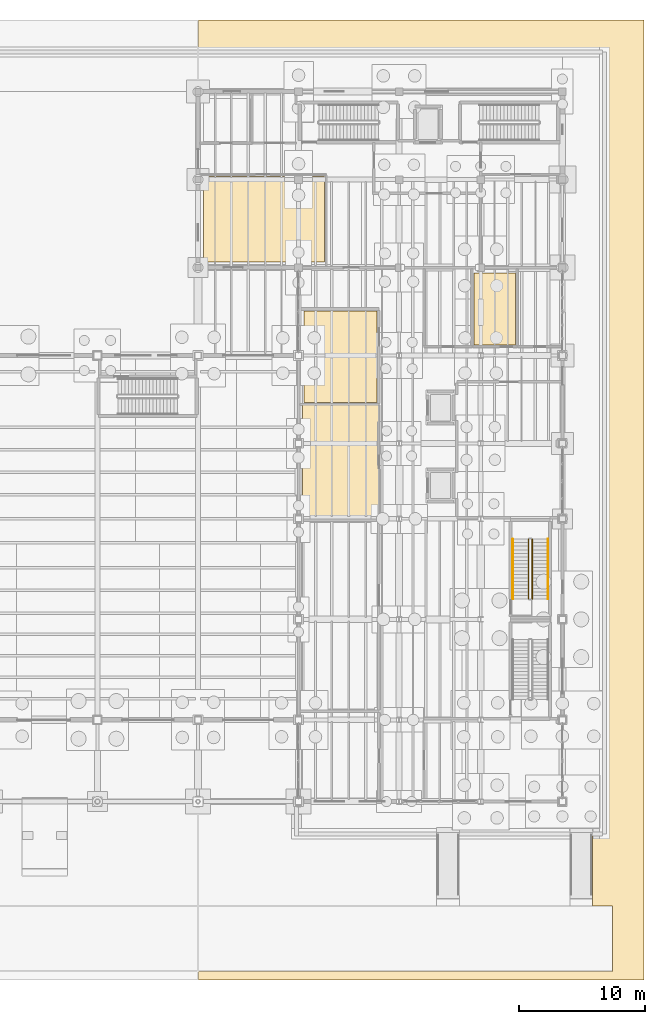
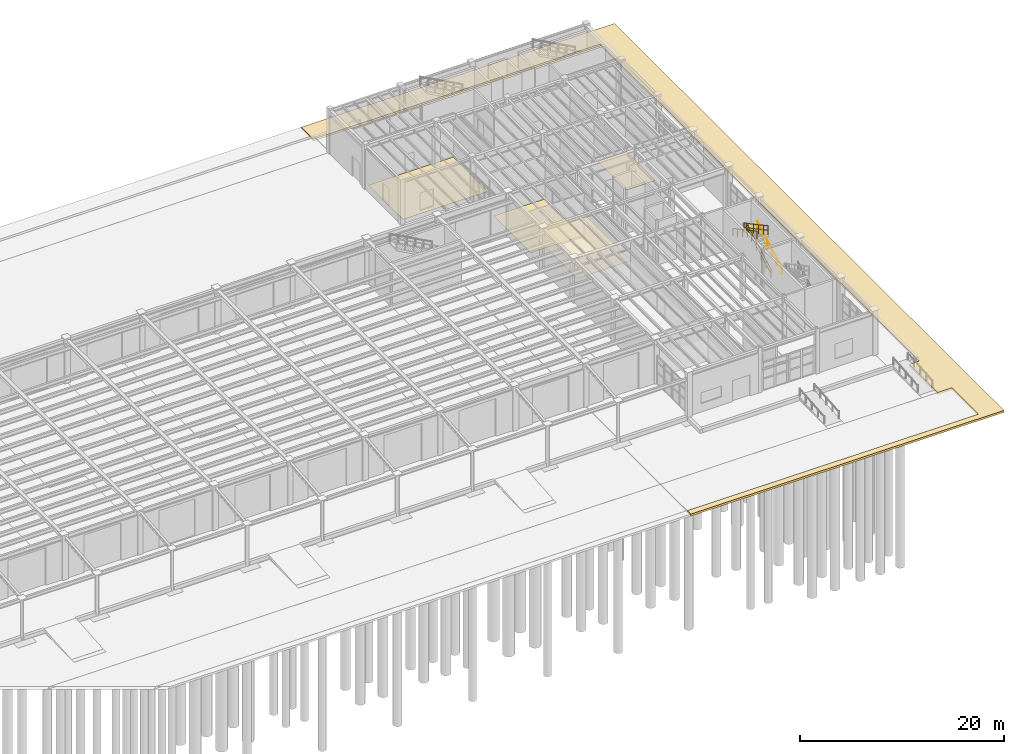
# One storey, part 84 of 86: 5 coverings, 4 railings.
"""IFC4 building model written with IfcOpenShell, lengths in metres."""

import ifcopenshell
import ifcopenshell.guid

model = None  # the IFC model being written
_history = None  # IfcOwnerHistory: only IFC2X3 demands one
_inside = {}  # id of a spatial element -> (the spatial element, [elements in it])
_under = {}  # id of a project, library or spatial element -> (it, [spatial elements below it])
_declared = {}  # id of a project -> (the project, [libraries it declares])
_typed = {}  # id of a type object -> (the type object, [elements of that type])
_made_of = {}  # id of a material, layer set ... -> (it, [elements and type objects made of it])


def new_model(schema):
    """Start an empty IFC model of exactly this schema.

    Asked for "IFC4X3", IfcOpenShell would pick the latest addendum, in which some entities
    have other attributes; the version numbers below select the first issue.
    IFC2X3 requires an IfcOwnerHistory on every rooted entity: one is made here for all.
    """
    global model, _history
    if schema == "IFC4X3":
        model = ifcopenshell.file(schema_version=(4, 3, 0, 0))
    else:
        model = ifcopenshell.file(schema=schema)
    _inside.clear()
    _under.clear()
    _declared.clear()
    _typed.clear()
    _made_of.clear()
    _history = None
    if model.schema == "IFC2X3":
        org = make("IfcOrganization", Name="unknown")
        user = make(
            "IfcPersonAndOrganization",
            ThePerson=make("IfcPerson", FamilyName="unknown"),
            TheOrganization=org,
        )
        app = make(
            "IfcApplication",
            ApplicationDeveloper=org,
            Version="unknown",
            ApplicationFullName="unknown",
            ApplicationIdentifier="unknown",
        )
        _history = make(
            "IfcOwnerHistory",
            OwningUser=user,
            OwningApplication=app,
            ChangeAction="ADDED",
            CreationDate=0,
        )
    return model


def make(cls, **values):
    """One entity of the class cls with the attributes given. An attribute that is None is left unset."""
    return model.create_entity(
        cls, **{name: value for name, value in values.items() if value is not None}
    )


def rooted(cls, **values):
    """An entity with a GlobalId (a new one), such as an element, a storey or a relation."""
    return make(cls, GlobalId=ifcopenshell.guid.new(), OwnerHistory=_history, **values)


def si_unit(unit_type, name, prefix=None):
    """IfcSIUnit, for example si_unit("LENGTHUNIT", "METRE", prefix="MILLI")."""
    return make("IfcSIUnit", UnitType=unit_type, Prefix=prefix, Name=name)


def assignment(units):
    """IfcUnitAssignment: the units of a project."""
    return None if units is None else make("IfcUnitAssignment", Units=units)


def point(xyz):
    """IfcCartesianPoint."""
    return None if xyz is None else make("IfcCartesianPoint", Coordinates=xyz)


def direction(xyz):
    """IfcDirection."""
    return None if xyz is None else make("IfcDirection", DirectionRatios=xyz)


def frame(location, z_axis=None, x_axis=None):
    """IfcAxis2Placement3D, a coordinate frame: its origin and axes. An axis left out is left unset."""
    return make(
        "IfcAxis2Placement3D",
        Location=point(location),
        Axis=direction(z_axis),
        RefDirection=direction(x_axis),
    )


def frame_2d(location, x_axis=None):
    """IfcAxis2Placement2D, a coordinate frame in the plane: its origin and x axis."""
    return make(
        "IfcAxis2Placement2D", Location=point(location), RefDirection=direction(x_axis)
    )


def origin():
    """The frame at (0, 0, 0) with its axes left unset."""
    return frame((0.0, 0.0, 0.0))


def origin_2d():
    """The frame at (0, 0) in the plane with its x axis left unset."""
    return frame_2d((0.0, 0.0))


def place(relative_to, where):
    """IfcLocalPlacement: puts the frame where relative to a parent placement (None: the world)."""
    return make(
        "IfcLocalPlacement", PlacementRelTo=relative_to, RelativePlacement=where
    )


def context(
    kind, dimensions, precision=None, world=None, true_north=None, identifier=None
):
    """IfcGeometricRepresentationContext, for example the 3D "Model" context."""
    return make(
        "IfcGeometricRepresentationContext",
        ContextIdentifier=identifier,
        ContextType=kind,
        CoordinateSpaceDimension=dimensions,
        Precision=precision,
        WorldCoordinateSystem=world,
        TrueNorth=true_north,
    )


def subcontext(parent, identifier, kind, view, scale=None):
    """IfcGeometricRepresentationSubContext, for example "Body" below "Model"."""
    return make(
        "IfcGeometricRepresentationSubContext",
        ContextIdentifier=identifier,
        ContextType=kind,
        ParentContext=parent,
        TargetScale=scale,
        TargetView=view,
    )


def project(units=None, contexts=None):
    """IfcProject with its units and contexts."""
    return rooted(
        "IfcProject",
        Name="project",
        RepresentationContexts=contexts,
        UnitsInContext=assignment(units),
    )


def spatial(cls, under=None, at=None, **own):
    """A site, building, storey or space (cls), placed at a placement, below another one or the project."""
    s = rooted(cls, ObjectPlacement=at, **own)
    if under is not None:
        _under.setdefault(under.id(), (under, []))[1].append(s)
    return s


def polyline(points):
    """IfcPolyline through the points."""
    return make("IfcPolyline", Points=[point(p) for p in points])


def profile(cls, at=None, kind="AREA", **sizes):
    """A parametric profile (cls). Its sizes go by their IFC names, for example OverallWidth=200.0."""
    return make(cls, ProfileType=kind, Position=at, **sizes)


def circle(**sizes):
    """IfcCircleProfileDef."""
    return profile("IfcCircleProfileDef", **sizes)


def outline(outer, holes=None, kind="AREA"):
    """IfcArbitraryClosedProfileDef: a profile drawn as a closed curve; with holes, ...WithVoids."""
    if holes is None:
        return make("IfcArbitraryClosedProfileDef", ProfileType=kind, OuterCurve=outer)
    return make(
        "IfcArbitraryProfileDefWithVoids",
        ProfileType=kind,
        OuterCurve=outer,
        InnerCurves=holes,
    )


def extrude(swept, where, along, depth):
    """IfcExtrudedAreaSolid: the profile swept, set in the frame where, extruded along a direction by depth."""
    return make(
        "IfcExtrudedAreaSolid",
        SweptArea=swept,
        Position=where,
        ExtrudedDirection=direction(along),
        Depth=depth,
    )


def shape(context_of_items, identifier, shape_type, items):
    """IfcShapeRepresentation: the items that make up one representation, for example the "Body"."""
    return make(
        "IfcShapeRepresentation",
        ContextOfItems=context_of_items,
        RepresentationIdentifier=identifier,
        RepresentationType=shape_type,
        Items=items,
    )


def material(Name=None, Category=None):
    """IfcMaterial."""
    return make("IfcMaterial", Name=Name, Category=Category)


def layer(
    of_material, thickness, ventilated=None, Name=None, Category=None, Priority=None
):
    """IfcMaterialLayer: one layer of a wall or slab, of a material (None: an air gap)."""
    return make(
        "IfcMaterialLayer",
        Material=of_material,
        LayerThickness=thickness,
        IsVentilated=ventilated,
        Name=Name,
        Category=Category,
        Priority=Priority,
    )


def layer_set(layers, Name=None):
    """IfcMaterialLayerSet."""
    return make("IfcMaterialLayerSet", MaterialLayers=layers, LayerSetName=Name)


def made_of(thing, what):
    """Note that an element or type object is made of a material, layer set ...; save() writes the relation."""
    if what is not None:
        _made_of.setdefault(what.id(), (what, []))[1].append(thing)
    return thing


def type_object(cls, material=None, **own):
    """A type object (cls), such as IfcWallType, which elements share."""
    return made_of(rooted(cls, **own), material)


def element(
    cls,
    number,
    at=None,
    inside=None,
    cuts=None,
    type_object=None,
    material=None,
    context=None,
    identifier="Body",
    shape_type=None,
    held_by="IfcProductDefinitionShape",
    body=None,
    shapes=None,
    **own,
):
    """One element of the class cls, such as IfcWall. Its Tag is "e" and its number.

    at: its placement. inside: the storey or other place that contains it. cuts: it is an
    opening in that element (IfcRelVoidsElement). A single representation is given by context,
    identifier, shape_type and body (its items); several are given by shapes. held_by: the class
    of the entity that holds the representations. save() writes the other relations.
    """
    e = rooted(cls, Tag="e%d" % number, ObjectPlacement=at, **own)
    if body is not None:
        shapes = [shape(context, identifier, shape_type, body)]
    if shapes is not None:
        e.Representation = make(held_by, Representations=shapes)
    if inside is not None:
        _inside.setdefault(inside.id(), (inside, []))[1].append(e)
    if cuts is not None:
        rooted(
            "IfcRelVoidsElement", RelatingBuildingElement=cuts, RelatedOpeningElement=e
        )
    if type_object is not None:
        _typed.setdefault(type_object.id(), (type_object, []))[1].append(e)
    return made_of(e, material)


def aggregate(whole, parts):
    """IfcRelAggregates: a whole, such as a stair, and the parts it consists of."""
    return rooted("IfcRelAggregates", RelatingObject=whole, RelatedObjects=parts)


def save(model, path):
    """Write the relations noted so far, then the file.

    IfcRelAggregates (storeys below a building ...), IfcRelContainedInSpatialStructure (elements
    in a storey), IfcRelDefinesByType, IfcRelAssociatesMaterial and IfcRelDeclares: one each for
    every whole, place, type object, material and project.
    """
    for whole, parts in _under.values():
        aggregate(whole, parts)
    for where, things in _inside.values():
        rooted(
            "IfcRelContainedInSpatialStructure",
            RelatedElements=things,
            RelatingStructure=where,
        )
    for kind, things in _typed.values():
        rooted("IfcRelDefinesByType", RelatedObjects=things, RelatingType=kind)
    for what, things in _made_of.values():
        rooted("IfcRelAssociatesMaterial", RelatedObjects=things, RelatingMaterial=what)
    for by, libraries in _declared.values():
        rooted("IfcRelDeclares", RelatingContext=by, RelatedDefinitions=libraries)
    model.write(path)


model = new_model("IFC4")

# Units and contexts
model_context = context("Model", 3, precision=1e-05, world=origin(), true_north=direction((0.0, 1.0)))
body_context = subcontext(model_context, "Body", "Model", "MODEL_VIEW")
ifc_project = project(units=[si_unit("LENGTHUNIT", "METRE"), si_unit("AREAUNIT", "SQUARE_METRE"), si_unit("VOLUMEUNIT", "CUBIC_METRE"), si_unit("PLANEANGLEUNIT", "RADIAN"), si_unit("MASSUNIT", "GRAM", prefix="KILO"), si_unit("THERMODYNAMICTEMPERATUREUNIT", "KELVIN"), si_unit("POWERUNIT", "WATT")], contexts=[model_context])

# Site, building, storey
site_placement = place(None, origin())
site = spatial("IfcSite", under=ifc_project, at=site_placement, CompositionType="ELEMENT")
building_placement = place(site_placement, origin())
building = spatial("IfcBuilding", under=site, at=building_placement, Name="Zhenchuan Central Fire Station", CompositionType="ELEMENT")
storey_placement = place(building_placement, frame((0.0, 0.0, 0.449951171875)))
storey = spatial("IfcBuildingStorey", under=building, at=storey_placement, Name="L01", CompositionType="ELEMENT", Elevation=0.449951171875)

# Coverings
ifc_material_1 = material(Name="Gypsum plasterboard acoustic ceiling", Category="gypsum")
ifc_layer_1 = layer(ifc_material_1, 0.01806640625, Name="Gypsum plasterboard acoustic ceiling", Category="gypsum")
ifc_layer_set_1 = layer_set([ifc_layer_1], Name="Gypsum plasterboard acoustic ceiling")
covering_type_1 = type_object("IfcCoveringType", Name="COV-CEIL-GYP", PredefinedType="CEILING", material=ifc_layer_set_1)
covering_1_placement = place(storey_placement, frame((0.0, 0.0, 2.650146484375)))
element("IfcCovering", 1, at=covering_1_placement, inside=storey, type_object=covering_type_1, Name="Public Reception and Duty Desk Acoustic Ceiling", PredefinedType="CEILING", context=body_context, shape_type="SweptSolid", body=[
    extrude(outline(polyline([(140.300048828125, 22.39990234375), (140.300048828125, 31.60009765625), (146.39990234375, 31.60009765625), (146.39990234375, 22.39990234375), (140.300048828125, 22.39990234375)])), origin(), (0.0, 0.0, 1.0), 0.017822265625),
])
ifc_material_2 = material(Name="Heavy-duty slip-resistant ceramic tile flooring")
ifc_layer_2 = layer(ifc_material_2, 0.014892578125, Name="Heavy-duty slip-resistant ceramic tile flooring")
ifc_layer_set_2 = layer_set([ifc_layer_2], Name="Heavy-duty slip-resistant ceramic tile flooring")
covering_type_2 = type_object("IfcCoveringType", Name="COV-FLR-RES", PredefinedType="FLOORING", material=ifc_layer_set_2)
covering_2_placement = place(storey_placement, origin())
element("IfcCovering", 2, at=covering_2_placement, inside=storey, type_object=covering_type_2, Name="Incident Records and Archive Room Ceramic Tile Flooring", PredefinedType="FLOORING", context=body_context, shape_type="SweptSolid", body=[
    extrude(outline(polyline([(140.449951171875, 31.75), (146.25, 31.75), (146.25, 39.050048828125), (140.449951171875, 39.050048828125), (140.449951171875, 31.75)])), origin(), (0.0, 0.0, 1.0), 0.01513671875),
])
covering_3_placement = place(storey_placement, origin())
element("IfcCovering", 3, at=covering_3_placement, inside=storey, type_object=covering_type_2, Name="Headquarters Female WC Ceramic Tile Flooring", PredefinedType="FLOORING", context=body_context, shape_type="SweptSolid", body=[
    extrude(outline(polyline([(153.949951171875, 36.35009765625), (157.25, 36.35009765625), (157.25, 42.050048828125), (153.949951171875, 42.050048828125), (153.949951171875, 36.35009765625)])), origin(), (0.0, 0.0, 1.0), 0.01513671875),
])
covering_4_placement = place(storey_placement, origin())
element("IfcCovering", 4, at=covering_4_placement, inside=storey, type_object=covering_type_2, Name="Hydrant and Pump Drill Room Ceramic Tile Flooring", PredefinedType="FLOORING", context=body_context, shape_type="SweptSolid", body=[
    extrude(outline(polyline([(132.449951171875, 42.949951171875), (142.050048828125, 42.949951171875), (142.050048828125, 49.75), (132.449951171875, 49.75), (132.449951171875, 42.949951171875)])), origin(), (0.0, 0.0, 1.0), 0.01513671875),
])
ifc_material_3 = material(Name="Granite stone boulevard paving", Category="masonry")
ifc_layer_3 = layer(ifc_material_3, 0.239990234375, Name="Granite stone boulevard paving", Category="masonry")
ifc_layer_set_3 = layer_set([ifc_layer_3], Name="Granite stone boulevard paving")
covering_type_3 = type_object("IfcCoveringType", Name="COV-SITE-PAV", PredefinedType="FLOORING", material=ifc_layer_set_3)
covering_5_placement = place(storey_placement, frame((0.0, 0.0, -0.68994140625)))
element("IfcCovering", 5, at=covering_5_placement, inside=storey, type_object=covering_type_3, Name="Zhenchuan Boulevard Grade Paving Zone E-08", PredefinedType="FLOORING", context=body_context, shape_type="SweptSolid", body=[
    extrude(outline(polyline([(132.02490234375, 62.199951171875), (167.5, 62.199951171875), (167.5, -14.199951171875), (132.02490234375, -14.199951171875), (132.02490234375, -13.50390625), (165.00390625, -13.50390625), (165.00390625, -8.2958984375), (163.406005859375, -8.2958984375), (163.406005859375, -2.72998046875), (164.530029296875, -2.72998046875), (164.530029296875, 59.830078125), (140.0, 59.830078125), (139.669921875, 59.830078125), (132.02490234375, 59.830078125), (132.02490234375, 62.199951171875)])), origin(), (0.0, 0.0, 1.0), 0.239990234375),
])

# Railings
ifc_material_4 = material(Name="Galvanised powder-coated steel", Category="steel")
railing_type_1 = type_object("IfcRailingType", Name="RL-ST-GRD", PredefinedType="GUARDRAIL", material=ifc_material_4)
railing_1_placement = place(storey_placement, frame((158.60009765625, 16.1201171875, 0.150146484375)))
element("IfcRailing", 6, at=railing_1_placement, inside=storey, type_object=railing_type_1, Name="L01 ST-11 stair guard 1", PredefinedType="GUARDRAIL", context=body_context, shape_type="SweptSolid", body=[
    extrude(circle(Radius=0.02392578125, at=origin_2d()), frame((0.0, 0.0, 1.076171875), z_axis=(0.0, 0.881485347215, 0.472211374965), x_axis=(-1.0, 0.0, 0.0)), (0.0, 0.0, 1.0), 5.399658203125),
    extrude(circle(Radius=0.02392578125, at=origin_2d()), frame((0.0, 0.0, 0.550048828125), z_axis=(0.0, 0.881485347215, 0.472211374965), x_axis=(-1.0, 0.0, 0.0)), (0.0, 0.0, 1.0), 5.399658203125),
    extrude(circle(Radius=0.02099609375, at=origin_2d()), origin(), (0.0, 0.0, 1.0), 1.052001953125),
    extrude(circle(Radius=0.02099609375, at=origin_2d()), frame((0.0, 0.951904296875, 0.510009765625)), (0.0, 0.0, 1.0), 1.052001953125),
    extrude(circle(Radius=0.02099609375, at=origin_2d()), frame((0.0, 1.90380859375, 1.02001953125)), (0.0, 0.0, 1.0), 1.052001953125),
    extrude(circle(Radius=0.02099609375, at=origin_2d()), frame((0.0, 2.85595703125, 1.52978515625)), (0.0, 0.0, 1.0), 1.052001953125),
    extrude(circle(Radius=0.02099609375, at=origin_2d()), frame((0.0, 3.807861328125, 2.039794921875)), (0.0, 0.0, 1.0), 1.052001953125),
    extrude(circle(Radius=0.02099609375, at=origin_2d()), frame((0.0, 4.759765625, 2.5498046875)), (0.0, 0.0, 1.0), 1.052001953125),
])
railing_2_placement = place(storey_placement, frame((158.300048828125, 20.8798828125, 2.85009765625)))
element("IfcRailing", 7, at=railing_2_placement, inside=storey, type_object=railing_type_1, Name="L01 ST-11 stair guard 3", PredefinedType="GUARDRAIL", context=body_context, shape_type="SweptSolid", body=[
    extrude(circle(Radius=0.02392578125, at=origin_2d()), frame((0.0, 0.0, 1.076171875), z_axis=(0.0, -0.881466526851, 0.472246505589), x_axis=(1.0, 0.0, 0.0)), (0.0, 0.0, 1.0), 5.39990234375),
    extrude(circle(Radius=0.02392578125, at=origin_2d()), frame((0.0, 0.0, 0.550048828125), z_axis=(0.0, -0.881466526851, 0.472246505589), x_axis=(1.0, 0.0, 0.0)), (0.0, 0.0, 1.0), 5.39990234375),
    extrude(circle(Radius=0.02099609375, at=origin_2d()), origin(), (0.0, 0.0, 1.0), 1.052001953125),
    extrude(circle(Radius=0.02099609375, at=origin_2d()), frame((0.0, -0.951904296875, 0.510009765625)), (0.0, 0.0, 1.0), 1.052001953125),
    extrude(circle(Radius=0.02099609375, at=origin_2d()), frame((0.0, -1.90380859375, 1.02001953125)), (0.0, 0.0, 1.0), 1.052001953125),
    extrude(circle(Radius=0.02099609375, at=origin_2d()), frame((0.0, -2.85595703125, 1.530029296875)), (0.0, 0.0, 1.0), 1.052001953125),
    extrude(circle(Radius=0.02099609375, at=origin_2d()), frame((0.0, -3.807861328125, 2.0400390625)), (0.0, 0.0, 1.0), 1.052001953125),
    extrude(circle(Radius=0.02099609375, at=origin_2d()), frame((0.0, -4.759765625, 2.550048828125)), (0.0, 0.0, 1.0), 1.052001953125),
])
ifc_material_5 = material(Name="Brushed stainless steel handrail", Category="steel")
railing_type_2 = type_object("IfcRailingType", Name="RL-ST-HND", PredefinedType="HANDRAIL", material=ifc_material_5)
railing_3_placement = place(storey_placement, frame((159.85009765625, 16.1201171875, 0.150146484375)))
element("IfcRailing", 8, at=railing_3_placement, inside=storey, type_object=railing_type_2, Name="L01 ST-11 stair handrail 1", PredefinedType="HANDRAIL", context=body_context, shape_type="SweptSolid", body=[
    extrude(circle(Radius=0.02392578125, at=origin_2d()), frame((0.0, 0.0, 0.8759765625), z_axis=(0.0, 0.881485347215, 0.472211374965), x_axis=(-1.0, 0.0, 0.0)), (0.0, 0.0, 1.0), 5.399658203125),
    extrude(circle(Radius=0.02099609375, at=origin_2d()), origin(), (0.0, 0.0, 1.0), 0.851806640625),
    extrude(circle(Radius=0.02099609375, at=origin_2d()), frame((0.0, 0.951904296875, 0.510009765625)), (0.0, 0.0, 1.0), 0.851806640625),
    extrude(circle(Radius=0.02099609375, at=origin_2d()), frame((0.0, 1.90380859375, 1.02001953125)), (0.0, 0.0, 1.0), 0.851806640625),
    extrude(circle(Radius=0.02099609375, at=origin_2d()), frame((0.0, 2.85595703125, 1.52978515625)), (0.0, 0.0, 1.0), 0.851806640625),
    extrude(circle(Radius=0.02099609375, at=origin_2d()), frame((0.0, 3.807861328125, 2.039794921875)), (0.0, 0.0, 1.0), 0.851806640625),
    extrude(circle(Radius=0.02099609375, at=origin_2d()), frame((0.0, 4.759765625, 2.5498046875)), (0.0, 0.0, 1.0), 0.851806640625),
])
railing_4_placement = place(storey_placement, frame((157.050048828125, 20.8798828125, 2.85009765625)))
element("IfcRailing", 9, at=railing_4_placement, inside=storey, type_object=railing_type_2, Name="L01 ST-11 stair handrail 2", PredefinedType="HANDRAIL", context=body_context, shape_type="SweptSolid", body=[
    extrude(circle(Radius=0.02392578125, at=origin_2d()), frame((0.0, 0.0, 0.8759765625), z_axis=(0.0, -0.881466526851, 0.472246505589), x_axis=(1.0, 0.0, 0.0)), (0.0, 0.0, 1.0), 5.39990234375),
    extrude(circle(Radius=0.02099609375, at=origin_2d()), origin(), (0.0, 0.0, 1.0), 0.851806640625),
    extrude(circle(Radius=0.02099609375, at=origin_2d()), frame((0.0, -0.951904296875, 0.510009765625)), (0.0, 0.0, 1.0), 0.851806640625),
    extrude(circle(Radius=0.02099609375, at=origin_2d()), frame((0.0, -1.90380859375, 1.02001953125)), (0.0, 0.0, 1.0), 0.851806640625),
    extrude(circle(Radius=0.02099609375, at=origin_2d()), frame((0.0, -2.85595703125, 1.530029296875)), (0.0, 0.0, 1.0), 0.851806640625),
    extrude(circle(Radius=0.02099609375, at=origin_2d()), frame((0.0, -3.807861328125, 2.0400390625)), (0.0, 0.0, 1.0), 0.851806640625),
    extrude(circle(Radius=0.02099609375, at=origin_2d()), frame((0.0, -4.759765625, 2.550048828125)), (0.0, 0.0, 1.0), 0.851806640625),
])

save(model, "model.ifc")
